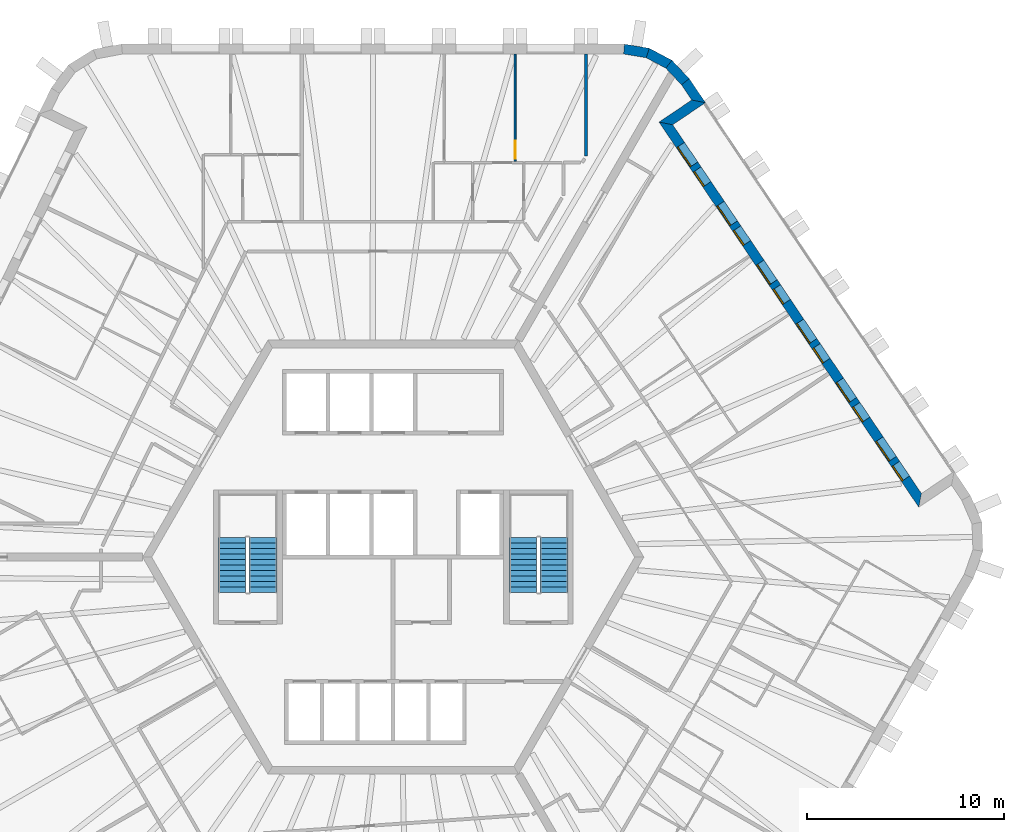
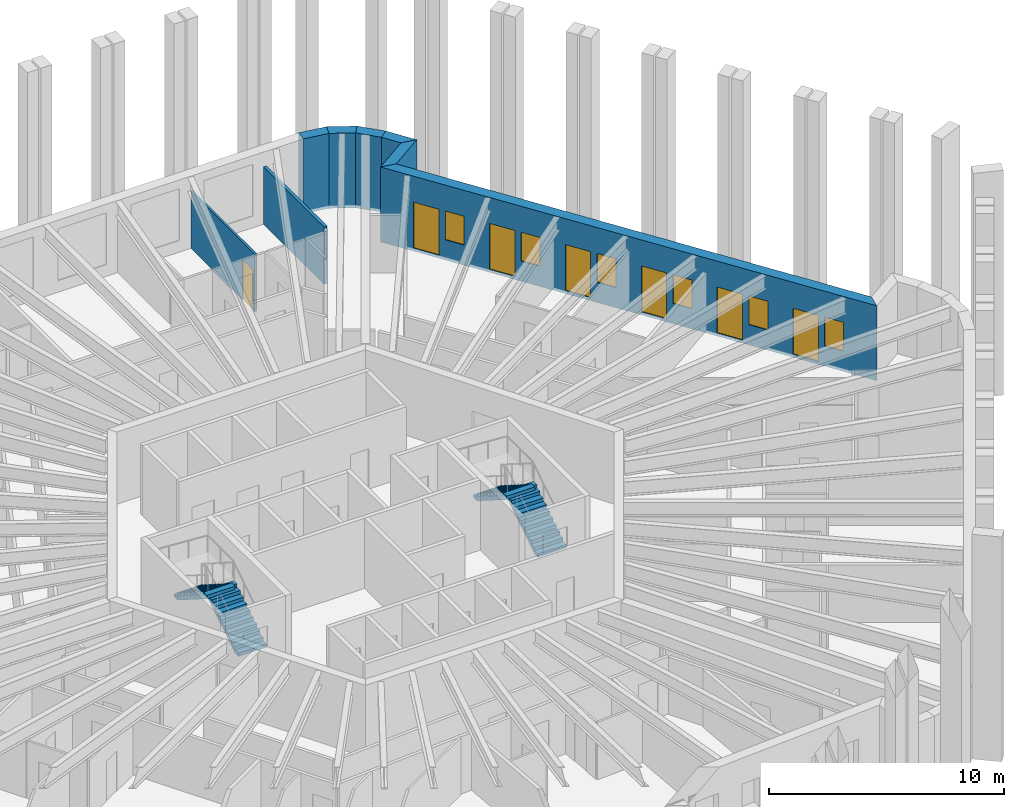
# One storey, part 11 of 13: 8 walls, 7 doors, 6 windows, 4 stair flights, 13 openings, 2 elements without a shape of their own.
"""IFC4 building model written with IfcOpenShell, lengths in metres."""

from ifc_helpers import new_model, si_unit, direction, frame, frame_2d, origin, place, context, subcontext, project, spatial, polyline, rectangle, outline, extrude, material, layer, layer_set, type_object, element, fill, aggregate, save


model = new_model("IFC4")

# Units and contexts
model_context = context("Model", 3, precision=1e-05, world=origin(), true_north=direction((0.0, 1.0)))
body_context = subcontext(model_context, "Body", "Model", "MODEL_VIEW")
ifc_project = project(units=[si_unit("LENGTHUNIT", "METRE"), si_unit("AREAUNIT", "SQUARE_METRE"), si_unit("VOLUMEUNIT", "CUBIC_METRE"), si_unit("PLANEANGLEUNIT", "RADIAN"), si_unit("MASSUNIT", "GRAM", prefix="KILO")], contexts=[model_context])

# Site, building, storey
site_placement = place(None, origin())
site = spatial("IfcSite", under=ifc_project, at=site_placement, CompositionType="ELEMENT")
building_placement = place(site_placement, origin())
building = spatial("IfcBuilding", under=site, at=building_placement, Name="Tarnside Tower", CompositionType="ELEMENT")
storey_placement = place(building_placement, frame((0.0, 0.0, 267.89990234375)))
storey = spatial("IfcBuildingStorey", under=building, at=storey_placement, Name="L64", CompositionType="ELEMENT", Elevation=267.89990234375)

# Wall
ifc_material_1 = material(Name="Gypsum board partition on steel studs", Category="steel")
ifc_layer_1 = layer(ifc_material_1, 0.14990234375)
ifc_layer_set_1 = layer_set([ifc_layer_1], Name="Corridor wall 150 EI 60")
wall_type_1 = type_object("IfcWallType", Name="Corridor wall 150 EI 60", PredefinedType="PARTITIONING", material=ifc_layer_set_1)
wall_1_placement = place(storey_placement, frame((9.775146484375, 25.5, 0.0), z_axis=(0.0, 0.0, 1.0), x_axis=(0.0, -1.0, 0.0)))
element("IfcWall", 1, at=wall_1_placement, inside=storey, type_object=wall_type_1, Name="Corridor wall 21004", PredefinedType="PARTITIONING", context=body_context, shape_type="SweptSolid", body=[
    extrude(rectangle(XDim=5.1689453125, YDim=0.14990234375, at=frame_2d((2.58447265625, 0.0))), origin(), (0.0, 0.0, 1.0), 2.98779296875),
])

# Wall, openings, doors, windows
ifc_material_2 = material(Name="Dark zinc cladding")
ifc_layer_2 = layer(ifc_material_2, 0.10205078125)
ifc_material_3 = material(Name="Concrete C60/75 precast", Category="concrete")
ifc_layer_3 = layer(ifc_material_3, 0.298095703125)
ifc_material_4 = material(Name="Mineral wool insulation")
ifc_layer_4 = layer(ifc_material_4, 0.10009765625)
ifc_layer_set_2 = layer_set([ifc_layer_2, ifc_layer_3, ifc_layer_4], Name="Loggia wall 500 zinc faced")
wall_type_2 = type_object("IfcWallType", Name="Loggia wall 500 zinc faced", PredefinedType="SOLIDWALL", material=ifc_layer_set_2)
wall_2_placement = place(storey_placement, frame((26.705810546875, 2.87890625, -0.14990234375), z_axis=(0.0, 0.0, 1.0), x_axis=(-0.559197891507, 0.829034208061, 0.0)))
wall_2 = element("IfcWall", 2, at=wall_2_placement, inside=storey, type_object=wall_type_2, Name="Tube wall L64 F6 back 30", PredefinedType="SOLIDWALL", context=body_context, shape_type="SweptSolid", body=[
    extrude(outline(polyline([(0.25, -0.25), (22.794677734375, -0.25), (23.294677734375, 0.25), (-0.25, 0.25), (0.25, -0.25)])), origin(), (0.0, 0.0, 1.0), 3.89990234375),
])
opening_1_placement = place(wall_2_placement, frame((1.322509765625, 0.0, 1.050048828125)))
opening_1 = element("IfcOpeningElement", 3, at=opening_1_placement, cuts=wall_2, Name="Opening WL500", PredefinedType="OPENING", context=body_context, shape_type="SweptSolid", body=[
    extrude(rectangle(XDim=0.89990234375, YDim=1.5, at=frame_2d((0.449951171875, 0.75))), frame((0.0, 0.260009765625, 0.0), z_axis=(0.0, -1.0, 0.0), x_axis=(1.0, 0.0, 0.0)), (0.0, 0.0, 1.0), 0.52001953125),
])
opening_2_placement = place(wall_2_placement, frame((2.5224609375, 0.0, 0.14990234375)))
opening_2 = element("IfcOpeningElement", 4, at=opening_2_placement, cuts=wall_2, Name="Opening DB500", PredefinedType="OPENING", context=body_context, shape_type="SweptSolid", body=[
    extrude(rectangle(XDim=1.199951171875, YDim=2.39990234375, at=frame_2d((0.60009765625, 1.199951171875))), frame((0.0, 0.260009765625, 0.0), z_axis=(0.0, -1.0, 0.0), x_axis=(1.0, 0.0, 0.0)), (0.0, 0.0, 1.0), 0.52001953125),
])
opening_3_placement = place(wall_2_placement, frame((4.92236328125, 0.0, 1.050048828125)))
opening_3 = element("IfcOpeningElement", 5, at=opening_3_placement, cuts=wall_2, Name="Opening WL500", PredefinedType="OPENING", context=body_context, shape_type="SweptSolid", body=[
    extrude(rectangle(XDim=0.89990234375, YDim=1.5, at=frame_2d((0.449951171875, 0.75))), frame((0.0, 0.260009765625, 0.0), z_axis=(0.0, -1.0, 0.0), x_axis=(1.0, 0.0, 0.0)), (0.0, 0.0, 1.0), 0.52001953125),
])
opening_4_placement = place(wall_2_placement, frame((6.122314453125, 0.0, 0.14990234375)))
opening_4 = element("IfcOpeningElement", 6, at=opening_4_placement, cuts=wall_2, Name="Opening DB500", PredefinedType="OPENING", context=body_context, shape_type="SweptSolid", body=[
    extrude(rectangle(XDim=1.199951171875, YDim=2.39990234375, at=frame_2d((0.60009765625, 1.199951171875))), frame((0.0, 0.260009765625, 0.0), z_axis=(0.0, -1.0, 0.0), x_axis=(1.0, 0.0, 0.0)), (0.0, 0.0, 1.0), 0.52001953125),
])
opening_5_placement = place(wall_2_placement, frame((8.5224609375, 0.0, 1.050048828125)))
opening_5 = element("IfcOpeningElement", 7, at=opening_5_placement, cuts=wall_2, Name="Opening WL500", PredefinedType="OPENING", context=body_context, shape_type="SweptSolid", body=[
    extrude(rectangle(XDim=0.89990234375, YDim=1.5, at=frame_2d((0.449951171875, 0.75))), frame((0.0, 0.260009765625, 0.0), z_axis=(0.0, -1.0, 0.0), x_axis=(1.0, 0.0, 0.0)), (0.0, 0.0, 1.0), 0.52001953125),
])
opening_6_placement = place(wall_2_placement, frame((9.722412109375, 0.0, 0.14990234375)))
opening_6 = element("IfcOpeningElement", 8, at=opening_6_placement, cuts=wall_2, Name="Opening DB500", PredefinedType="OPENING", context=body_context, shape_type="SweptSolid", body=[
    extrude(rectangle(XDim=1.199951171875, YDim=2.39990234375, at=frame_2d((0.60009765625, 1.199951171875))), frame((0.0, 0.260009765625, 0.0), z_axis=(0.0, -1.0, 0.0), x_axis=(1.0, 0.0, 0.0)), (0.0, 0.0, 1.0), 0.52001953125),
])
opening_7_placement = place(wall_2_placement, frame((12.122314453125, 0.0, 1.050048828125)))
opening_7 = element("IfcOpeningElement", 9, at=opening_7_placement, cuts=wall_2, Name="Opening WL500", PredefinedType="OPENING", context=body_context, shape_type="SweptSolid", body=[
    extrude(rectangle(XDim=0.89990234375, YDim=1.5, at=frame_2d((0.449951171875, 0.75))), frame((0.0, 0.260009765625, 0.0), z_axis=(0.0, -1.0, 0.0), x_axis=(1.0, 0.0, 0.0)), (0.0, 0.0, 1.0), 0.52001953125),
])
opening_8_placement = place(wall_2_placement, frame((13.322509765625, 0.0, 0.14990234375)))
opening_8 = element("IfcOpeningElement", 10, at=opening_8_placement, cuts=wall_2, Name="Opening DB500", PredefinedType="OPENING", context=body_context, shape_type="SweptSolid", body=[
    extrude(rectangle(XDim=1.199951171875, YDim=2.39990234375, at=frame_2d((0.60009765625, 1.199951171875))), frame((0.0, 0.260009765625, 0.0), z_axis=(0.0, -1.0, 0.0), x_axis=(1.0, 0.0, 0.0)), (0.0, 0.0, 1.0), 0.52001953125),
])
opening_9_placement = place(wall_2_placement, frame((15.722412109375, 0.0, 1.050048828125)))
opening_9 = element("IfcOpeningElement", 11, at=opening_9_placement, cuts=wall_2, Name="Opening WL500", PredefinedType="OPENING", context=body_context, shape_type="SweptSolid", body=[
    extrude(rectangle(XDim=0.89990234375, YDim=1.5, at=frame_2d((0.449951171875, 0.75))), frame((0.0, 0.260009765625, 0.0), z_axis=(0.0, -1.0, 0.0), x_axis=(1.0, 0.0, 0.0)), (0.0, 0.0, 1.0), 0.52001953125),
])
opening_10_placement = place(wall_2_placement, frame((16.92236328125, 0.0, 0.14990234375)))
opening_10 = element("IfcOpeningElement", 12, at=opening_10_placement, cuts=wall_2, Name="Opening DB500", PredefinedType="OPENING", context=body_context, shape_type="SweptSolid", body=[
    extrude(rectangle(XDim=1.199951171875, YDim=2.39990234375, at=frame_2d((0.60009765625, 1.199951171875))), frame((0.0, 0.260009765625, 0.0), z_axis=(0.0, -1.0, 0.0), x_axis=(1.0, 0.0, 0.0)), (0.0, 0.0, 1.0), 0.52001953125),
])
opening_11_placement = place(wall_2_placement, frame((19.322509765625, 0.0, 1.050048828125)))
opening_11 = element("IfcOpeningElement", 13, at=opening_11_placement, cuts=wall_2, Name="Opening WL500", PredefinedType="OPENING", context=body_context, shape_type="SweptSolid", body=[
    extrude(rectangle(XDim=0.89990234375, YDim=1.5, at=frame_2d((0.449951171875, 0.75))), frame((0.0, 0.260009765625, 0.0), z_axis=(0.0, -1.0, 0.0), x_axis=(1.0, 0.0, 0.0)), (0.0, 0.0, 1.0), 0.52001953125),
])
opening_12_placement = place(wall_2_placement, frame((20.5224609375, 0.0, 0.14990234375)))
opening_12 = element("IfcOpeningElement", 14, at=opening_12_placement, cuts=wall_2, Name="Opening DB500", PredefinedType="OPENING", context=body_context, shape_type="SweptSolid", body=[
    extrude(rectangle(XDim=1.199951171875, YDim=2.39990234375, at=frame_2d((0.60009765625, 1.199951171875))), frame((0.0, 0.260009765625, 0.0), z_axis=(0.0, -1.0, 0.0), x_axis=(1.0, 0.0, 0.0)), (0.0, 0.0, 1.0), 0.52001953125),
])
ifc_material_5 = material(Name="Aluminium-framed double glazing", Category="aluminium")
door_type_1 = type_object("IfcDoorType", Name="Balcony sliding door 1200 x 2400 in 500 wall", OperationType="SLIDING_TO_LEFT", PredefinedType="DOOR", material=ifc_material_5)
door_1_placement = place(opening_2_placement, frame((0.0, 0.1748046875, 0.0)))
door_1 = element("IfcDoor", 15, at=door_1_placement, inside=storey, type_object=door_type_1, Name="E.BD.L64.F6.00", OperationType="SLIDING_TO_LEFT", OverallHeight=2.39990234375, OverallWidth=1.199951171875, PredefinedType="DOOR", context=body_context, shape_type="SweptSolid", body=[
    extrude(rectangle(XDim=1.199951171875, YDim=2.39990234375, at=frame_2d((0.60009765625, 1.199951171875))), frame((0.0, 0.02490234375, 0.0), z_axis=(0.0, -1.0, 0.0), x_axis=(1.0, 0.0, 0.0)), (0.0, 0.0, 1.0), 0.050048828125),
])
fill(opening_2, door_1)
door_2_placement = place(opening_4_placement, frame((0.0, 0.1748046875, 0.0)))
door_2 = element("IfcDoor", 16, at=door_2_placement, inside=storey, type_object=door_type_1, Name="E.BD.L64.F6.01", OperationType="SLIDING_TO_LEFT", OverallHeight=2.39990234375, OverallWidth=1.199951171875, PredefinedType="DOOR", context=body_context, shape_type="SweptSolid", body=[
    extrude(rectangle(XDim=1.199951171875, YDim=2.39990234375, at=frame_2d((0.60009765625, 1.199951171875))), frame((0.0, 0.02490234375, 0.0), z_axis=(0.0, -1.0, 0.0), x_axis=(1.0, 0.0, 0.0)), (0.0, 0.0, 1.0), 0.050048828125),
])
fill(opening_4, door_2)
door_3_placement = place(opening_6_placement, frame((0.0, 0.1748046875, 0.0)))
door_3 = element("IfcDoor", 17, at=door_3_placement, inside=storey, type_object=door_type_1, Name="E.BD.L64.F6.02", OperationType="SLIDING_TO_LEFT", OverallHeight=2.39990234375, OverallWidth=1.199951171875, PredefinedType="DOOR", context=body_context, shape_type="SweptSolid", body=[
    extrude(rectangle(XDim=1.199951171875, YDim=2.39990234375, at=frame_2d((0.60009765625, 1.199951171875))), frame((0.0, 0.02490234375, 0.0), z_axis=(0.0, -1.0, 0.0), x_axis=(1.0, 0.0, 0.0)), (0.0, 0.0, 1.0), 0.050048828125),
])
fill(opening_6, door_3)
door_4_placement = place(opening_8_placement, frame((0.0, 0.1748046875, 0.0)))
door_4 = element("IfcDoor", 18, at=door_4_placement, inside=storey, type_object=door_type_1, Name="E.BD.L64.F6.03", OperationType="SLIDING_TO_LEFT", OverallHeight=2.39990234375, OverallWidth=1.199951171875, PredefinedType="DOOR", context=body_context, shape_type="SweptSolid", body=[
    extrude(rectangle(XDim=1.199951171875, YDim=2.39990234375, at=frame_2d((0.60009765625, 1.199951171875))), frame((0.0, 0.02490234375, 0.0), z_axis=(0.0, -1.0, 0.0), x_axis=(1.0, 0.0, 0.0)), (0.0, 0.0, 1.0), 0.050048828125),
])
fill(opening_8, door_4)
door_5_placement = place(opening_10_placement, frame((0.0, 0.1748046875, 0.0)))
door_5 = element("IfcDoor", 19, at=door_5_placement, inside=storey, type_object=door_type_1, Name="E.BD.L64.F6.04", OperationType="SLIDING_TO_LEFT", OverallHeight=2.39990234375, OverallWidth=1.199951171875, PredefinedType="DOOR", context=body_context, shape_type="SweptSolid", body=[
    extrude(rectangle(XDim=1.199951171875, YDim=2.39990234375, at=frame_2d((0.60009765625, 1.199951171875))), frame((0.0, 0.02490234375, 0.0), z_axis=(0.0, -1.0, 0.0), x_axis=(1.0, 0.0, 0.0)), (0.0, 0.0, 1.0), 0.050048828125),
])
fill(opening_10, door_5)
door_6_placement = place(opening_12_placement, frame((0.0, 0.1748046875, 0.0)))
door_6 = element("IfcDoor", 20, at=door_6_placement, inside=storey, type_object=door_type_1, Name="E.BD.L64.F6.05", OperationType="SLIDING_TO_LEFT", OverallHeight=2.39990234375, OverallWidth=1.199951171875, PredefinedType="DOOR", context=body_context, shape_type="SweptSolid", body=[
    extrude(rectangle(XDim=1.199951171875, YDim=2.39990234375, at=frame_2d((0.60009765625, 1.199951171875))), frame((0.0, 0.02490234375, 0.0), z_axis=(0.0, -1.0, 0.0), x_axis=(1.0, 0.0, 0.0)), (0.0, 0.0, 1.0), 0.050048828125),
])
fill(opening_12, door_6)
window_type = type_object("IfcWindowType", Name="Loggia window 900 x 1500 in 500 wall", PartitioningType="SINGLE_PANEL", PredefinedType="WINDOW", material=ifc_material_5)
window_1_placement = place(opening_1_placement, frame((0.0, 0.179931640625, 0.0)))
window_1 = element("IfcWindow", 21, at=window_1_placement, inside=storey, type_object=window_type, Name="E.LW.L64.F6.00", OverallHeight=1.5, OverallWidth=0.89990234375, PartitioningType="SINGLE_PANEL", PredefinedType="WINDOW", context=body_context, shape_type="SweptSolid", body=[
    extrude(rectangle(XDim=0.89990234375, YDim=1.5, at=frame_2d((0.449951171875, 0.75))), frame((0.0, 0.030029296875, 0.0), z_axis=(0.0, -1.0, 0.0), x_axis=(1.0, 0.0, 0.0)), (0.0, 0.0, 1.0), 0.06005859375),
])
fill(opening_1, window_1)
window_2_placement = place(opening_3_placement, frame((0.0, 0.179931640625, 0.0)))
window_2 = element("IfcWindow", 22, at=window_2_placement, inside=storey, type_object=window_type, Name="E.LW.L64.F6.01", OverallHeight=1.5, OverallWidth=0.89990234375, PartitioningType="SINGLE_PANEL", PredefinedType="WINDOW", context=body_context, shape_type="SweptSolid", body=[
    extrude(rectangle(XDim=0.89990234375, YDim=1.5, at=frame_2d((0.449951171875, 0.75))), frame((0.0, 0.030029296875, 0.0), z_axis=(0.0, -1.0, 0.0), x_axis=(1.0, 0.0, 0.0)), (0.0, 0.0, 1.0), 0.06005859375),
])
fill(opening_3, window_2)
window_3_placement = place(opening_5_placement, frame((0.0, 0.179931640625, 0.0)))
window_3 = element("IfcWindow", 23, at=window_3_placement, inside=storey, type_object=window_type, Name="E.LW.L64.F6.02", OverallHeight=1.5, OverallWidth=0.89990234375, PartitioningType="SINGLE_PANEL", PredefinedType="WINDOW", context=body_context, shape_type="SweptSolid", body=[
    extrude(rectangle(XDim=0.89990234375, YDim=1.5, at=frame_2d((0.449951171875, 0.75))), frame((0.0, 0.030029296875, 0.0), z_axis=(0.0, -1.0, 0.0), x_axis=(1.0, 0.0, 0.0)), (0.0, 0.0, 1.0), 0.06005859375),
])
fill(opening_5, window_3)
window_4_placement = place(opening_7_placement, frame((0.0, 0.179931640625, 0.0)))
window_4 = element("IfcWindow", 24, at=window_4_placement, inside=storey, type_object=window_type, Name="E.LW.L64.F6.03", OverallHeight=1.5, OverallWidth=0.89990234375, PartitioningType="SINGLE_PANEL", PredefinedType="WINDOW", context=body_context, shape_type="SweptSolid", body=[
    extrude(rectangle(XDim=0.89990234375, YDim=1.5, at=frame_2d((0.449951171875, 0.75))), frame((0.0, 0.030029296875, 0.0), z_axis=(0.0, -1.0, 0.0), x_axis=(1.0, 0.0, 0.0)), (0.0, 0.0, 1.0), 0.06005859375),
])
fill(opening_7, window_4)
window_5_placement = place(opening_9_placement, frame((0.0, 0.179931640625, 0.0)))
window_5 = element("IfcWindow", 25, at=window_5_placement, inside=storey, type_object=window_type, Name="E.LW.L64.F6.04", OverallHeight=1.5, OverallWidth=0.89990234375, PartitioningType="SINGLE_PANEL", PredefinedType="WINDOW", context=body_context, shape_type="SweptSolid", body=[
    extrude(rectangle(XDim=0.89990234375, YDim=1.5, at=frame_2d((0.449951171875, 0.75))), frame((0.0, 0.030029296875, 0.0), z_axis=(0.0, -1.0, 0.0), x_axis=(1.0, 0.0, 0.0)), (0.0, 0.0, 1.0), 0.06005859375),
])
fill(opening_9, window_5)
window_6_placement = place(opening_11_placement, frame((0.0, 0.179931640625, 0.0)))
window_6 = element("IfcWindow", 26, at=window_6_placement, inside=storey, type_object=window_type, Name="E.LW.L64.F6.05", OverallHeight=1.5, OverallWidth=0.89990234375, PartitioningType="SINGLE_PANEL", PredefinedType="WINDOW", context=body_context, shape_type="SweptSolid", body=[
    extrude(rectangle(XDim=0.89990234375, YDim=1.5, at=frame_2d((0.449951171875, 0.75))), frame((0.0, 0.030029296875, 0.0), z_axis=(0.0, -1.0, 0.0), x_axis=(1.0, 0.0, 0.0)), (0.0, 0.0, 1.0), 0.06005859375),
])
fill(opening_11, window_6)

# Walls
wall_3_placement = place(storey_placement, frame((13.8193359375, 21.983642578125, -0.14990234375), z_axis=(0.0, 0.0, 1.0), x_axis=(0.829052389485, 0.559170935841, 0.0)))
element("IfcWall", 27, at=wall_3_placement, inside=storey, type_object=wall_type_2, Name="Tube wall L64 F6 return 31", PredefinedType="SOLIDWALL", context=body_context, shape_type="SweptSolid", body=[
    extrude(outline(polyline([(0.25, -0.25), (2.25, -0.25), (1.75, 0.25), (-0.25, 0.25), (0.25, -0.25)])), origin(), (0.0, 0.0, 1.0), 3.89990234375),
])
wall_4_placement = place(storey_placement, frame((15.4775390625, 23.10205078125, -0.14990234375), z_axis=(0.0, 0.0, 1.0), x_axis=(-0.559245726333, 0.829001940636, 0.0)))
element("IfcWall", 28, at=wall_4_placement, inside=storey, type_object=wall_type_2, Name="Tube wall L64 F6 stub 32", PredefinedType="SOLIDWALL", context=body_context, shape_type="SweptSolid", body=[
    extrude(outline(polyline([(-0.25, -0.25), (1.220703125, -0.25), (1.1796875, 0.25), (0.25, 0.25), (-0.25, -0.25)])), origin(), (0.0, 0.0, 1.0), 3.89990234375),
])

# Wall, opening, door
ifc_layer_5 = layer(ifc_material_1, 0.10009765625)
ifc_layer_set_3 = layer_set([ifc_layer_5], Name="Partition 100")
wall_type_3 = type_object("IfcWallType", Name="Partition 100", PredefinedType="PARTITIONING", material=ifc_layer_set_3)
wall_5_placement = place(storey_placement, frame((6.17529296875, 25.5, 0.0), z_axis=(0.0, 0.0, 1.0), x_axis=(0.0, -1.0, 0.0)))
wall_5 = element("IfcWall", 29, at=wall_5_placement, inside=storey, type_object=wall_type_3, Name="Partition wall 21096", PredefinedType="PARTITIONING", context=body_context, shape_type="SweptSolid", body=[
    extrude(rectangle(XDim=5.449951171875, YDim=0.10009765625, at=frame_2d((2.72509765625, 0.0))), origin(), (0.0, 0.0, 1.0), 2.98779296875),
])
opening_13_placement = place(wall_5_placement, frame((4.39990234375, 0.0, 0.0)))
opening_13 = element("IfcOpeningElement", 30, at=opening_13_placement, cuts=wall_5, Name="Opening D-I1", PredefinedType="OPENING", context=body_context, shape_type="SweptSolid", body=[
    extrude(rectangle(XDim=0.89990234375, YDim=2.10009765625, at=frame_2d((0.449951171875, 1.050048828125))), frame((0.0, 0.06005859375, 0.0), z_axis=(0.0, -1.0, 0.0), x_axis=(1.0, 0.0, 0.0)), (0.0, 0.0, 1.0), 0.1201171875),
])
ifc_material_6 = material(Name="Timber door leaf", Category="wood")
door_type_2 = type_object("IfcDoorType", Name="Internal door 900", OperationType="NOTDEFINED", PredefinedType="DOOR", material=ifc_material_6)
door_7_placement = place(opening_13_placement, origin())
door_7 = element("IfcDoor", 31, at=door_7_placement, inside=storey, type_object=door_type_2, Name="Internal door 21008", OperationType="SINGLE_SWING_RIGHT", OverallHeight=2.10009765625, OverallWidth=0.89990234375, PredefinedType="DOOR", context=body_context, shape_type="SweptSolid", body=[
    extrude(rectangle(XDim=0.89990234375, YDim=2.10009765625, at=frame_2d((0.449951171875, 1.050048828125))), frame((0.0, 0.02490234375, 0.0), z_axis=(0.0, -1.0, 0.0), x_axis=(1.0, 0.0, 0.0)), (0.0, 0.0, 1.0), 0.050048828125),
])
fill(opening_13, door_7)

# Walls
ifc_material_7 = material(Name="Facing brick", Category="masonry")
ifc_layer_6 = layer(ifc_material_7, 0.10205078125)
ifc_layer_7 = layer(ifc_material_3, 0.298095703125)
ifc_layer_8 = layer(ifc_material_4, 0.10009765625)
ifc_layer_set_4 = layer_set([ifc_layer_6, ifc_layer_7, ifc_layer_8], Name="Tube wall 500 brick faced")
wall_type_4 = type_object("IfcWallType", Name="Tube wall 500 brick faced", PredefinedType="SOLIDWALL", material=ifc_layer_set_4)
wall_6_placement = place(storey_placement, frame((14.806396484375, 24.096923828125, -0.14990234375), z_axis=(0.0, 0.0, 1.0), x_axis=(-0.686234452793, 0.727380420275, 0.0)))
element("IfcWall", 32, at=wall_6_placement, inside=storey, type_object=wall_type_4, Name="Tube wall L64 F6 chord 33", PredefinedType="SOLIDWALL", context=body_context, shape_type="SweptSolid", body=[
    extrude(outline(polyline([(-0.0205078125, -0.25), (1.25732421875, -0.25), (1.17529296875, 0.25), (0.0205078125, 0.25), (-0.0205078125, -0.25)])), origin(), (0.0, 0.0, 1.0), 3.89990234375),
])
wall_7_placement = place(storey_placement, frame((13.9716796875, 24.981689453125, -0.14990234375), z_axis=(0.0, 0.0, 1.0), x_axis=(-0.882902492938, 0.469556373575, 0.0)))
element("IfcWall", 33, at=wall_7_placement, inside=storey, type_object=wall_type_4, Name="Tube wall L64 F6 chord 34", PredefinedType="SOLIDWALL", context=body_context, shape_type="SweptSolid", body=[
    extrude(outline(polyline([(-0.041015625, -0.25), (1.257080078125, -0.25), (1.175048828125, 0.25), (0.041015625, 0.25), (-0.041015625, -0.25)])), origin(), (0.0, 0.0, 1.0), 3.89990234375),
])
wall_8_placement = place(storey_placement, frame((12.89794921875, 25.552734375, -0.14990234375), z_axis=(0.0, 0.0, 1.0), x_axis=(-0.986765617372, 0.16215306464, 0.0)))
element("IfcWall", 34, at=wall_8_placement, inside=storey, type_object=wall_type_4, Name="Tube wall L64 F6 chord 35", PredefinedType="SOLIDWALL", context=body_context, shape_type="SweptSolid", body=[
    extrude(outline(polyline([(-0.041015625, -0.25), (1.237060546875, -0.25), (1.196044921875, 0.25), (0.041015625, 0.25), (-0.041015625, -0.25)])), origin(), (0.0, 0.0, 1.0), 3.89990234375),
])

# Stair, stair flights
ifc_material_8 = material(Name="Concrete C40/50", Category="concrete")
stair_type = type_object("IfcStairType", Name="Exit stair 1400 clear", PredefinedType="HALF_TURN_STAIR", material=ifc_material_8)
stair_1_placement = place(storey_placement, origin())
stair_1 = element("IfcStair", 35, at=stair_1_placement, inside=storey, type_object=stair_type, Name="L64 Exit stair 1", PredefinedType="HALF_TURN_STAIR")
stair_flight_type = type_object("IfcStairFlightType", Name="Exit stair flight 1400", PredefinedType="STRAIGHT", material=ifc_material_8)
stair_flight_1_placement = place(storey_placement, frame((8.14990234375, -1.800048828125, 0.0), z_axis=(0.0, 0.0, 1.0), x_axis=(0.0, 1.0, 0.0)))
stair_flight_1 = element("IfcStairFlight", 36, at=stair_flight_1_placement, type_object=stair_flight_type, Name="ST1 flight 1", NumberOfRisers=11, NumberOfTreads=10, PredefinedType="STRAIGHT", RiserHeight=0.177272727, TreadLength=0.28, context=body_context, shape_type="SweptSolid", body=[
    extrude(outline(polyline([(0.0, 0.0), (0.0, 0.17724609375), (0.280029296875, 0.17724609375), (0.280029296875, 0.3544921875), (0.56005859375, 0.3544921875), (0.56005859375, 0.53173828125), (0.840087890625, 0.53173828125), (0.840087890625, 0.708984375), (1.1201171875, 0.708984375), (1.1201171875, 0.886474609375), (1.39990234375, 0.886474609375), (1.39990234375, 1.063720703125), (1.679931640625, 1.063720703125), (1.679931640625, 1.240966796875), (1.9599609375, 1.240966796875), (1.9599609375, 1.418212890625), (2.239990234375, 1.418212890625), (2.239990234375, 1.595458984375), (2.52001953125, 1.595458984375), (2.52001953125, 1.772705078125), (2.800048828125, 1.772705078125), (2.800048828125, 1.949951171875), (2.800048828125, 1.59521484375), (0.2802734375, 0.0), (0.0, 0.0)])), frame((0.0, 0.699951171875, 0.0), z_axis=(0.0, -1.0, 0.0), x_axis=(1.0, 0.0, 0.0)), (0.0, 0.0, 1.0), 1.39990234375),
])
stair_flight_2_placement = place(storey_placement, frame((6.60009765625, 1.0, 1.9501953125), z_axis=(0.0, 0.0, 1.0), x_axis=(0.0, -1.0, 0.0)))
stair_flight_2 = element("IfcStairFlight", 37, at=stair_flight_2_placement, type_object=stair_flight_type, Name="ST1 flight 2", NumberOfRisers=11, NumberOfTreads=10, PredefinedType="STRAIGHT", RiserHeight=0.177272727, TreadLength=0.28, context=body_context, shape_type="SweptSolid", body=[
    extrude(outline(polyline([(0.0, 0.0), (0.0, 0.17724609375), (0.280029296875, 0.17724609375), (0.280029296875, 0.3544921875), (0.56005859375, 0.3544921875), (0.56005859375, 0.53173828125), (0.840087890625, 0.53173828125), (0.840087890625, 0.708984375), (1.1201171875, 0.708984375), (1.1201171875, 0.886474609375), (1.39990234375, 0.886474609375), (1.39990234375, 1.063720703125), (1.679931640625, 1.063720703125), (1.679931640625, 1.240966796875), (1.9599609375, 1.240966796875), (1.9599609375, 1.418212890625), (2.239990234375, 1.418212890625), (2.239990234375, 1.595458984375), (2.52001953125, 1.595458984375), (2.52001953125, 1.772705078125), (2.800048828125, 1.772705078125), (2.800048828125, 1.949951171875), (2.800048828125, 1.59521484375), (0.2802734375, 0.0), (0.0, 0.0)])), frame((0.0, 0.699951171875, 0.0), z_axis=(0.0, -1.0, 0.0), x_axis=(1.0, 0.0, 0.0)), (0.0, 0.0, 1.0), 1.39990234375),
])
aggregate(stair_1, [stair_flight_1, stair_flight_2])

stair_2_placement = place(storey_placement, origin())
stair_2 = element("IfcStair", 38, at=stair_2_placement, inside=storey, type_object=stair_type, Name="L64 Exit stair 2", PredefinedType="HALF_TURN_STAIR")
stair_flight_3_placement = place(storey_placement, frame((-6.60009765625, -1.800048828125, 0.0), z_axis=(0.0, 0.0, 1.0), x_axis=(0.0, 1.0, 0.0)))
stair_flight_3 = element("IfcStairFlight", 39, at=stair_flight_3_placement, type_object=stair_flight_type, Name="ST2 flight 1", NumberOfRisers=11, NumberOfTreads=10, PredefinedType="STRAIGHT", RiserHeight=0.177272727, TreadLength=0.28, context=body_context, shape_type="SweptSolid", body=[
    extrude(outline(polyline([(0.0, 0.0), (0.0, 0.17724609375), (0.280029296875, 0.17724609375), (0.280029296875, 0.3544921875), (0.56005859375, 0.3544921875), (0.56005859375, 0.53173828125), (0.840087890625, 0.53173828125), (0.840087890625, 0.708984375), (1.1201171875, 0.708984375), (1.1201171875, 0.886474609375), (1.39990234375, 0.886474609375), (1.39990234375, 1.063720703125), (1.679931640625, 1.063720703125), (1.679931640625, 1.240966796875), (1.9599609375, 1.240966796875), (1.9599609375, 1.418212890625), (2.239990234375, 1.418212890625), (2.239990234375, 1.595458984375), (2.52001953125, 1.595458984375), (2.52001953125, 1.772705078125), (2.800048828125, 1.772705078125), (2.800048828125, 1.949951171875), (2.800048828125, 1.59521484375), (0.2802734375, 0.0), (0.0, 0.0)])), frame((0.0, 0.699951171875, 0.0), z_axis=(0.0, -1.0, 0.0), x_axis=(1.0, 0.0, 0.0)), (0.0, 0.0, 1.0), 1.39990234375),
])
stair_flight_4_placement = place(storey_placement, frame((-8.14990234375, 1.0, 1.9501953125), z_axis=(0.0, 0.0, 1.0), x_axis=(0.0, -1.0, 0.0)))
stair_flight_4 = element("IfcStairFlight", 40, at=stair_flight_4_placement, type_object=stair_flight_type, Name="ST2 flight 2", NumberOfRisers=11, NumberOfTreads=10, PredefinedType="STRAIGHT", RiserHeight=0.177272727, TreadLength=0.28, context=body_context, shape_type="SweptSolid", body=[
    extrude(outline(polyline([(0.0, 0.0), (0.0, 0.17724609375), (0.280029296875, 0.17724609375), (0.280029296875, 0.3544921875), (0.56005859375, 0.3544921875), (0.56005859375, 0.53173828125), (0.840087890625, 0.53173828125), (0.840087890625, 0.708984375), (1.1201171875, 0.708984375), (1.1201171875, 0.886474609375), (1.39990234375, 0.886474609375), (1.39990234375, 1.063720703125), (1.679931640625, 1.063720703125), (1.679931640625, 1.240966796875), (1.9599609375, 1.240966796875), (1.9599609375, 1.418212890625), (2.239990234375, 1.418212890625), (2.239990234375, 1.595458984375), (2.52001953125, 1.595458984375), (2.52001953125, 1.772705078125), (2.800048828125, 1.772705078125), (2.800048828125, 1.949951171875), (2.800048828125, 1.59521484375), (0.2802734375, 0.0), (0.0, 0.0)])), frame((0.0, 0.699951171875, 0.0), z_axis=(0.0, -1.0, 0.0), x_axis=(1.0, 0.0, 0.0)), (0.0, 0.0, 1.0), 1.39990234375),
])
aggregate(stair_2, [stair_flight_3, stair_flight_4])

save(model, "model.ifc")
